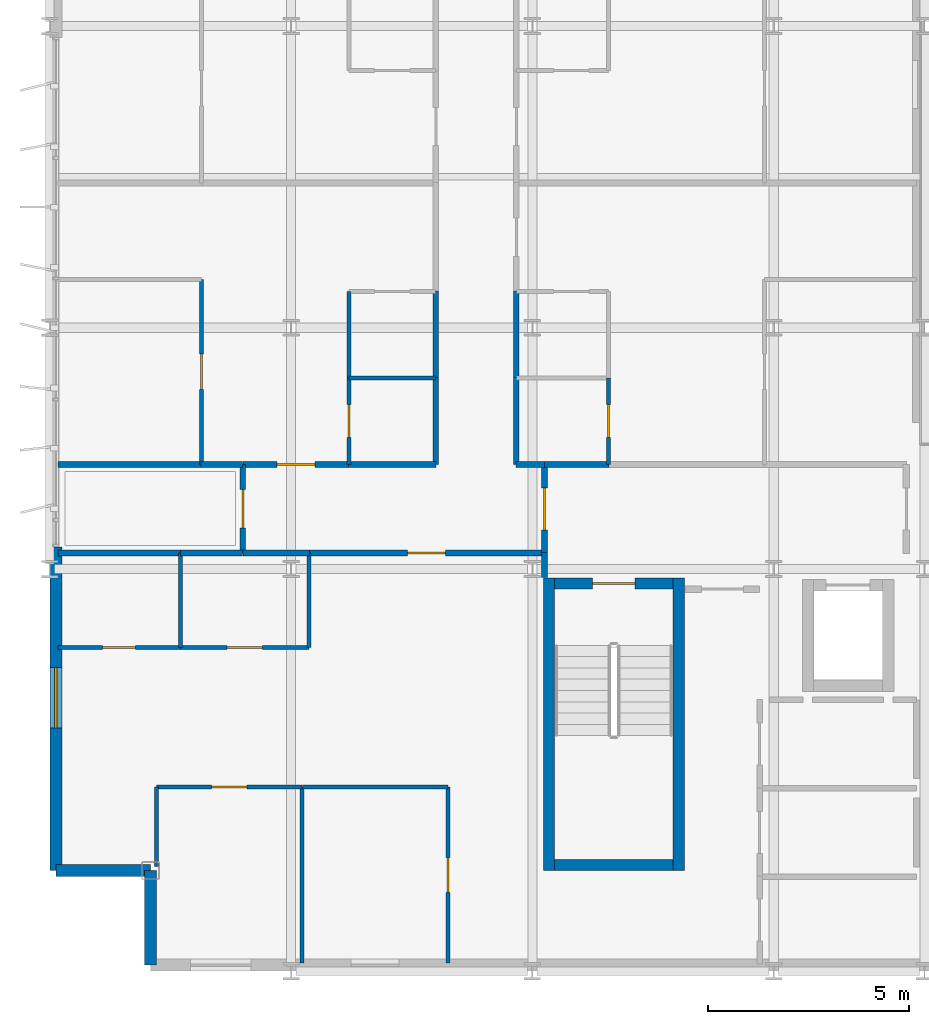
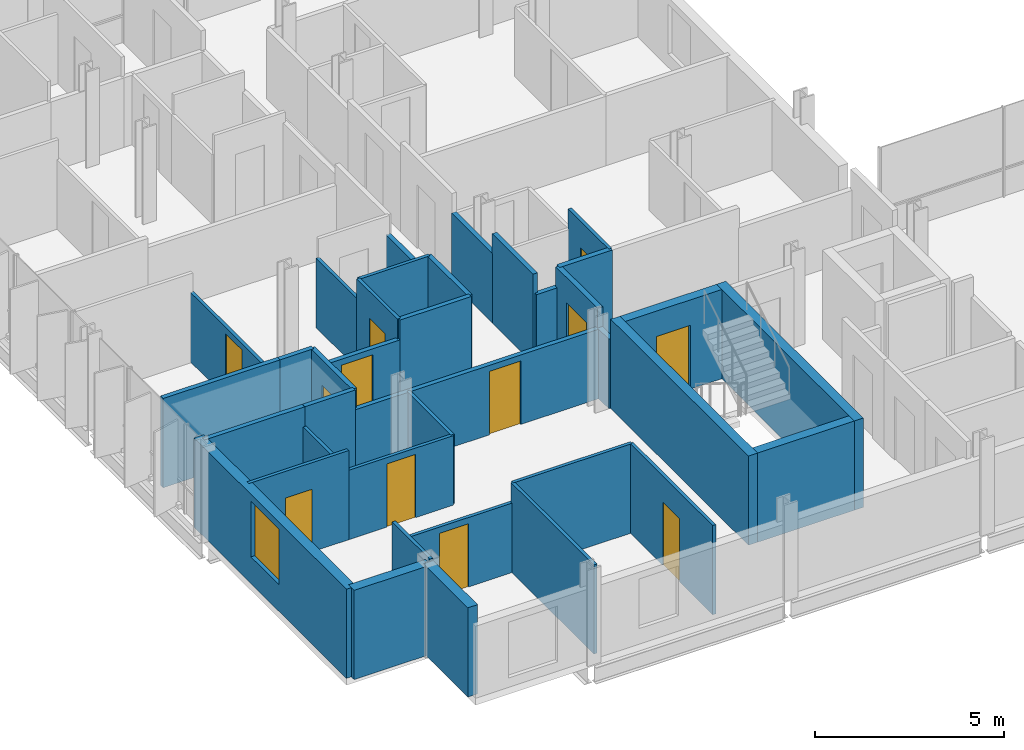
# One storey, part 27 of 39: 38 walls, 12 doors, 1 window, 13 openings.
"""IFC4 building model written with IfcOpenShell, lengths in metres."""

from ifc_helpers import new_model, si_unit, direction, frame, frame_2d, origin, place, context, subcontext, project, spatial, rectangle, extrude, material, layer, layer_set, type_object, element, fill, save


model = new_model("IFC4")

# Units and contexts
model_context = context("Model", 3, precision=1e-05, world=origin(), true_north=direction((0.0, 1.0)))
body_context = subcontext(model_context, "Body", "Model", "MODEL_VIEW")
ifc_project = project(units=[si_unit("LENGTHUNIT", "METRE"), si_unit("AREAUNIT", "SQUARE_METRE"), si_unit("VOLUMEUNIT", "CUBIC_METRE"), si_unit("PLANEANGLEUNIT", "RADIAN"), si_unit("MASSUNIT", "GRAM", prefix="KILO")], contexts=[model_context])

# Site, building, storey
site_placement = place(None, origin())
site = spatial("IfcSite", under=ifc_project, at=site_placement, CompositionType="ELEMENT")
building_placement = place(site_placement, origin())
building = spatial("IfcBuilding", under=site, at=building_placement, Name="Brevholm Reach", CompositionType="ELEMENT")
storey_placement = place(building_placement, frame((0.0, 0.0, 109.699951171875)))
storey = spatial("IfcBuildingStorey", under=building, at=storey_placement, Name="L32", CompositionType="ELEMENT", Elevation=109.699951171875)

# Walls
ifc_material_1 = material(Name="Concrete C50/60", Category="concrete")
ifc_layer_1 = layer(ifc_material_1, 0.280029296875)
ifc_layer_set_1 = layer_set([ifc_layer_1], Name="Concrete C50/60")
wall_type_1 = type_object("IfcWallType", Name="WAL-COR-280", PredefinedType="SHEAR", material=ifc_layer_set_1)
for number, where, z_axis, x_axis, name in (
    (1, (12.409912109375, 2.5, 0.0), (0.0, 0.0, 1.0), (0.0, 1.0, 0.0), "L32 Escape Stair ST-1 Core Wall W"),
    (2, (15.639892578125, 2.5, 0.0), (0.0, 0.0, 1.0), (0.0, 1.0, 0.0), "L32 Escape Stair ST-1 Core Wall E"),
):
    element("IfcWall", number, at=place(storey_placement, frame(where, z_axis=z_axis, x_axis=x_axis)), inside=storey, type_object=wall_type_1, Name=name, PredefinedType="SHEAR", context=body_context, shape_type="SweptSolid", body=[
        extrude(rectangle(XDim=7.280029296875, YDim=0.280029296875, at=frame_2d((3.64013671875, 0.0))), origin(), (0.0, 0.0, 1.0), 2.880126953125),
    ])
wall_1_placement = place(storey_placement, frame((12.550048828125, 2.639892578125, 0.0), z_axis=(0.0, 0.0, 1.0), x_axis=(1.0, 0.0, 0.0)))
element("IfcWall", 3, at=wall_1_placement, inside=storey, type_object=wall_type_1, Name="L32 Escape Stair ST-1 Core Wall S", PredefinedType="SHEAR", context=body_context, shape_type="SweptSolid", body=[
    extrude(rectangle(XDim=2.949951171875, YDim=0.280029296875, at=frame_2d((1.47509765625, 0.0))), origin(), (0.0, 0.0, 1.0), 2.880126953125),
])

# Wall, opening, door
wall_2_placement = place(storey_placement, frame((15.5, 9.639892578125, 0.0), z_axis=(0.0, 0.0, 1.0), x_axis=(-1.0, 0.0, 0.0)))
wall_2 = element("IfcWall", 4, at=wall_2_placement, inside=storey, type_object=wall_type_1, Name="L32 Escape Stair ST-1 Core Wall N", PredefinedType="SHEAR", context=body_context, shape_type="SweptSolid", body=[
    extrude(rectangle(XDim=2.949951171875, YDim=0.280029296875, at=frame_2d((1.47509765625, 0.0))), origin(), (0.0, 0.0, 1.0), 2.880126953125),
])
opening_1_placement = place(wall_2_placement, frame((0.949951171875, 0.0, 0.0)))
opening_1 = element("IfcOpeningElement", 5, at=opening_1_placement, cuts=wall_2, Name="Opening SD-ST-1", PredefinedType="OPENING", context=body_context, shape_type="SweptSolid", body=[
    extrude(rectangle(XDim=1.050048828125, YDim=2.06005859375, at=frame_2d((0.52490234375, 1.030029296875))), frame((0.0, 0.14990234375, 0.0), z_axis=(0.0, -1.0, 0.0), x_axis=(1.0, 0.0, 0.0)), (0.0, 0.0, 1.0), 0.300048828125),
])
ifc_material_2 = material(Name="Hardwood-Lipped Steel-Core Fire and Smoke Door", Category="steel")
door_type_1 = type_object("IfcDoorType", Name="DOR-INT-FD60S", OperationType="NOTDEFINED", PredefinedType="DOOR", material=ifc_material_2)
door_1_placement = place(opening_1_placement, origin())
door_1 = element("IfcDoor", 6, at=door_1_placement, inside=storey, type_object=door_type_1, Name="L32 Protected Stair ST-1 Lobby Door", OperationType="SINGLE_SWING_RIGHT", OverallHeight=2.06005859375, OverallWidth=1.050048828125, PredefinedType="DOOR", context=body_context, shape_type="SweptSolid", body=[
    extrude(rectangle(XDim=1.050048828125, YDim=2.06005859375, at=frame_2d((0.52490234375, 1.030029296875))), frame((0.0, 0.02490234375, 0.0), z_axis=(0.0, -1.0, 0.0), x_axis=(1.0, 0.0, 0.0)), (0.0, 0.0, 1.0), 0.050048828125),
])
fill(opening_1, door_1)

# Walls
ifc_material_3 = material(Name="Concrete C40/50", Category="concrete")
ifc_layer_2 = layer(ifc_material_3, 0.300048828125)
ifc_layer_set_2 = layer_set([ifc_layer_2], Name="Concrete C40/50")
wall_type_2 = type_object("IfcWallType", Name="WAL-EXT-300", PredefinedType="STANDARD", material=ifc_layer_set_2)
for number, where, z_axis, x_axis, name in (
    (7, (2.5, 2.5, 0.0), (0.0, 0.0, 1.0), (0.0, -1.0, 0.0), "L32 Facade Wall WAL-L32-CSW1"),
    (8, (0.14990234375, 2.5, 0.0), (0.0, 0.0, 1.0), (1.0, 0.0, 0.0), "L32 Facade Wall WAL-L32-CSW2"),
):
    element("IfcWall", number, at=place(storey_placement, frame(where, z_axis=z_axis, x_axis=x_axis)), inside=storey, type_object=wall_type_2, Name=name, PredefinedType="STANDARD", context=body_context, shape_type="SweptSolid", body=[
        extrude(rectangle(XDim=2.35009765625, YDim=0.300048828125, at=frame_2d((1.175048828125, 0.0))), origin(), (0.0, 0.0, 1.0), 2.880126953125),
    ])

# Wall, opening, window
wall_3_placement = place(storey_placement, frame((0.14990234375, 10.550048828125, 0.0), z_axis=(0.0, 0.0, 1.0), x_axis=(0.0, -1.0, 0.0)))
wall_3 = element("IfcWall", 9, at=wall_3_placement, inside=storey, type_object=wall_type_2, Name="L32 Facade Wall WAL-L32-W-S", PredefinedType="STANDARD", context=body_context, shape_type="SweptSolid", body=[
    extrude(rectangle(XDim=8.050048828125, YDim=0.300048828125, at=frame_2d((4.02490234375, 0.0))), origin(), (0.0, 0.0, 1.0), 2.880126953125),
])
opening_2_placement = place(wall_3_placement, frame((3.0, 0.0, 0.860107421875)))
opening_2 = element("IfcOpeningElement", 10, at=opening_2_placement, cuts=wall_3, Name="Opening WN-05", PredefinedType="OPENING", context=body_context, shape_type="SweptSolid", body=[
    extrude(rectangle(XDim=1.5, YDim=1.800048828125, at=frame_2d((0.75, 0.89990234375))), frame((0.0, 0.159912109375, 0.0), z_axis=(0.0, -1.0, 0.0), x_axis=(1.0, 0.0, 0.0)), (0.0, 0.0, 1.0), 0.320068359375),
])
ifc_material_4 = material(Name="Dark Anodised Aluminium and Solar-Control IGU Glass", Category="aluminium")
window_type = type_object("IfcWindowType", Name="WIN-RES-1500", PartitioningType="SINGLE_PANEL", PredefinedType="WINDOW", material=ifc_material_4)
window_placement = place(opening_2_placement, origin())
window = element("IfcWindow", 11, at=window_placement, inside=storey, type_object=window_type, Name="L32 Window WIN-L32-WS-1", OverallHeight=1.800048828125, OverallWidth=1.5, PartitioningType="SINGLE_PANEL", PredefinedType="WINDOW", context=body_context, shape_type="SweptSolid", body=[
    extrude(rectangle(XDim=1.5, YDim=1.800048828125, at=frame_2d((0.75, 0.89990234375))), frame((0.0, 0.030029296875, 0.0), z_axis=(0.0, -1.0, 0.0), x_axis=(1.0, 0.0, 0.0)), (0.0, 0.0, 1.0), 0.06005859375),
])
fill(opening_2, window)

# Wall
ifc_material_5 = material(Name="Moisture-Resistant Acoustic Gypsum Stud Partition 100 mm", Category="gypsum")
ifc_layer_3 = layer(ifc_material_5, 0.10009765625)
ifc_layer_set_3 = layer_set([ifc_layer_3], Name="Moisture-Resistant Acoustic Gypsum Stud Partition 100 mm")
wall_type_3 = type_object("IfcWallType", Name="WAL-PRT-100", PredefinedType="PARTITIONING", material=ifc_layer_set_3)
wall_4_placement = place(storey_placement, frame((3.25, 8.053955078125, 0.0), z_axis=(0.0, 0.0, 1.0), x_axis=(0.0, 1.0, 0.0)))
element("IfcWall", 12, at=wall_4_placement, inside=storey, type_object=wall_type_3, Name="L32 Internal Partition 067", PredefinedType="PARTITIONING", context=body_context, shape_type="SweptSolid", body=[
    extrude(rectangle(XDim=2.345947265625, YDim=0.10009765625, at=frame_2d((1.1728515625, 0.0))), origin(), (0.0, 0.0, 1.0), 2.242919921875),
])

# Wall, opening, door
wall_5_placement = place(storey_placement, frame((0.199951171875, 8.053955078125, 0.0), z_axis=(0.0, 0.0, 1.0), x_axis=(1.0, 0.0, 0.0)))
wall_5 = element("IfcWall", 13, at=wall_5_placement, inside=storey, type_object=wall_type_3, Name="L32 Internal Partition 068", PredefinedType="PARTITIONING", context=body_context, shape_type="SweptSolid", body=[
    extrude(rectangle(XDim=3.050048828125, YDim=0.10009765625, at=frame_2d((1.52490234375, 0.0))), origin(), (0.0, 0.0, 1.0), 2.880126953125),
])
opening_3_placement = place(wall_5_placement, frame((1.114990234375, 0.0, 0.0)))
opening_3 = element("IfcOpeningElement", 14, at=opening_3_placement, cuts=wall_5, Name="Opening ID-03", PredefinedType="OPENING", context=body_context, shape_type="SweptSolid", body=[
    extrude(rectangle(XDim=0.820068359375, YDim=2.02001953125, at=frame_2d((0.41015625, 1.010009765625))), frame((0.0, 0.06005859375, 0.0), z_axis=(0.0, -1.0, 0.0), x_axis=(1.0, 0.0, 0.0)), (0.0, 0.0, 1.0), 0.1201171875),
])
ifc_material_6 = material(Name="Moisture-Resistant Painted Timber Internal Bathroom Door", Category="wood")
door_type_2 = type_object("IfcDoorType", Name="DOR-BATH-820", OperationType="NOTDEFINED", PredefinedType="DOOR", material=ifc_material_6)
door_2_placement = place(opening_3_placement, origin())
door_2 = element("IfcDoor", 15, at=door_2_placement, inside=storey, type_object=door_type_2, Name="L32 Internal Door 026", OperationType="SINGLE_SWING_RIGHT", OverallHeight=2.02001953125, OverallWidth=0.820068359375, PredefinedType="DOOR", context=body_context, shape_type="SweptSolid", body=[
    extrude(rectangle(XDim=0.820068359375, YDim=2.02001953125, at=frame_2d((0.41015625, 1.010009765625))), frame((0.0, 0.02490234375, 0.0), z_axis=(0.0, -1.0, 0.0), x_axis=(1.0, 0.0, 0.0)), (0.0, 0.0, 1.0), 0.050048828125),
])
fill(opening_3, door_2)

wall_6_placement = place(storey_placement, frame((3.25390625, 8.053955078125, 0.0), z_axis=(0.0, 0.0, 1.0), x_axis=(1.0, 0.0, 0.0)))
wall_6 = element("IfcWall", 16, at=wall_6_placement, inside=storey, type_object=wall_type_3, Name="L32 Internal Partition 070", PredefinedType="PARTITIONING", context=body_context, shape_type="SweptSolid", body=[
    extrude(rectangle(XDim=3.196044921875, YDim=0.10009765625, at=frame_2d((1.59814453125, 0.0))), origin(), (0.0, 0.0, 1.0), 2.242919921875),
])
opening_4_placement = place(wall_6_placement, frame((1.157958984375, 0.0, 0.0)))
opening_4 = element("IfcOpeningElement", 17, at=opening_4_placement, cuts=wall_6, Name="Opening ID-01", PredefinedType="OPENING", context=body_context, shape_type="SweptSolid", body=[
    extrude(rectangle(XDim=0.8798828125, YDim=2.0400390625, at=frame_2d((0.43994140625, 1.02001953125))), frame((0.0, 0.06005859375, 0.0), z_axis=(0.0, -1.0, 0.0), x_axis=(1.0, 0.0, 0.0)), (0.0, 0.0, 1.0), 0.1201171875),
])
ifc_material_7 = material(Name="Lacquered Ash Solid-Core Acoustic Internal Door", Category="timber")
door_type_3 = type_object("IfcDoorType", Name="DOR-INT-880", OperationType="NOTDEFINED", PredefinedType="DOOR", material=ifc_material_7)
door_3_placement = place(opening_4_placement, origin())
door_3 = element("IfcDoor", 18, at=door_3_placement, inside=storey, type_object=door_type_3, Name="L32 Internal Door 027", OperationType="SINGLE_SWING_LEFT", OverallHeight=2.0400390625, OverallWidth=0.8798828125, PredefinedType="DOOR", context=body_context, shape_type="SweptSolid", body=[
    extrude(rectangle(XDim=0.8798828125, YDim=2.0400390625, at=frame_2d((0.43994140625, 1.02001953125))), frame((0.0, 0.02490234375, 0.0), z_axis=(0.0, -1.0, 0.0), x_axis=(1.0, 0.0, 0.0)), (0.0, 0.0, 1.0), 0.050048828125),
])
fill(opening_4, door_3)

# Walls
wall_7_placement = place(storey_placement, frame((6.449951171875, 8.053955078125, 0.0), z_axis=(0.0, 0.0, 1.0), x_axis=(0.0, 1.0, 0.0)))
element("IfcWall", 19, at=wall_7_placement, inside=storey, type_object=wall_type_3, Name="L32 Internal Partition 071", PredefinedType="PARTITIONING", context=body_context, shape_type="SweptSolid", body=[
    extrude(rectangle(XDim=2.342041015625, YDim=0.10009765625, at=frame_2d((1.1708984375, 0.0))), origin(), (0.0, 0.0, 1.0), 2.242919921875),
])
wall_8_placement = place(storey_placement, frame((6.27490234375, 0.199951171875, 0.0), z_axis=(0.0, 0.0, 1.0), x_axis=(0.0, 1.0, 0.0)))
element("IfcWall", 20, at=wall_8_placement, inside=storey, type_object=wall_type_3, Name="L32 Internal Partition 073", PredefinedType="PARTITIONING", context=body_context, shape_type="SweptSolid", body=[
    extrude(rectangle(XDim=4.385986328125, YDim=0.10009765625, at=frame_2d((2.19287109375, 0.0))), origin(), (0.0, 0.0, 1.0), 2.880126953125),
])
wall_9_placement = place(storey_placement, frame((2.64990234375, 2.599365234375, 0.0), z_axis=(0.0, 0.0, 1.0), x_axis=(0.0, 1.0, 0.0)))
element("IfcWall", 21, at=wall_9_placement, inside=storey, type_object=wall_type_3, Name="L32 Internal Partition 074", PredefinedType="PARTITIONING", context=body_context, shape_type="SweptSolid", body=[
    extrude(rectangle(XDim=1.986572265625, YDim=0.10009765625, at=frame_2d((0.9931640625, 0.0))), origin(), (0.0, 0.0, 1.0), 2.880126953125),
])

# Wall, opening, door
wall_10_placement = place(storey_placement, frame((2.64990234375, 4.5859375, 0.0), z_axis=(0.0, 0.0, 1.0), x_axis=(1.0, 0.0, 0.0)))
wall_10 = element("IfcWall", 22, at=wall_10_placement, inside=storey, type_object=wall_type_3, Name="L32 Internal Partition 075", PredefinedType="PARTITIONING", context=body_context, shape_type="SweptSolid", body=[
    extrude(rectangle(XDim=3.625, YDim=0.10009765625, at=frame_2d((1.8125, 0.0))), origin(), (0.0, 0.0, 1.0), 2.242919921875),
])
opening_5_placement = place(wall_10_placement, frame((1.37255859375, 0.0, 0.0)))
opening_5 = element("IfcOpeningElement", 23, at=opening_5_placement, cuts=wall_10, Name="Opening ID-01", PredefinedType="OPENING", context=body_context, shape_type="SweptSolid", body=[
    extrude(rectangle(XDim=0.8798828125, YDim=2.0400390625, at=frame_2d((0.43994140625, 1.02001953125))), frame((0.0, 0.06005859375, 0.0), z_axis=(0.0, -1.0, 0.0), x_axis=(1.0, 0.0, 0.0)), (0.0, 0.0, 1.0), 0.1201171875),
])
door_4_placement = place(opening_5_placement, origin())
door_4 = element("IfcDoor", 24, at=door_4_placement, inside=storey, type_object=door_type_3, Name="L32 Internal Door 028", OperationType="SINGLE_SWING_RIGHT", OverallHeight=2.0400390625, OverallWidth=0.8798828125, PredefinedType="DOOR", context=body_context, shape_type="SweptSolid", body=[
    extrude(rectangle(XDim=0.8798828125, YDim=2.0400390625, at=frame_2d((0.43994140625, 1.02001953125))), frame((0.0, 0.02490234375, 0.0), z_axis=(0.0, -1.0, 0.0), x_axis=(1.0, 0.0, 0.0)), (0.0, 0.0, 1.0), 0.050048828125),
])
fill(opening_5, door_4)

wall_11_placement = place(storey_placement, frame((9.89990234375, 0.199951171875, 0.0), z_axis=(0.0, 0.0, 1.0), x_axis=(0.0, 1.0, 0.0)))
wall_11 = element("IfcWall", 25, at=wall_11_placement, inside=storey, type_object=wall_type_3, Name="L32 Internal Partition 076", PredefinedType="PARTITIONING", context=body_context, shape_type="SweptSolid", body=[
    extrude(rectangle(XDim=4.385986328125, YDim=0.10009765625, at=frame_2d((2.19287109375, 0.0))), origin(), (0.0, 0.0, 1.0), 2.880126953125),
])
opening_6_placement = place(wall_11_placement, frame((1.7529296875, 0.0, 0.0)))
opening_6 = element("IfcOpeningElement", 26, at=opening_6_placement, cuts=wall_11, Name="Opening ID-01", PredefinedType="OPENING", context=body_context, shape_type="SweptSolid", body=[
    extrude(rectangle(XDim=0.8798828125, YDim=2.0400390625, at=frame_2d((0.43994140625, 1.02001953125))), frame((0.0, 0.06005859375, 0.0), z_axis=(0.0, -1.0, 0.0), x_axis=(1.0, 0.0, 0.0)), (0.0, 0.0, 1.0), 0.1201171875),
])
door_5_placement = place(opening_6_placement, origin())
door_5 = element("IfcDoor", 27, at=door_5_placement, inside=storey, type_object=door_type_3, Name="L32 Internal Door 029", OperationType="SINGLE_SWING_LEFT", OverallHeight=2.0400390625, OverallWidth=0.8798828125, PredefinedType="DOOR", context=body_context, shape_type="SweptSolid", body=[
    extrude(rectangle(XDim=0.8798828125, YDim=2.0400390625, at=frame_2d((0.43994140625, 1.02001953125))), frame((0.0, 0.02490234375, 0.0), z_axis=(0.0, -1.0, 0.0), x_axis=(1.0, 0.0, 0.0)), (0.0, 0.0, 1.0), 0.050048828125),
])
fill(opening_6, door_5)

# Walls
wall_12_placement = place(storey_placement, frame((6.279052734375, 4.5859375, 0.0), z_axis=(0.0, 0.0, 1.0), x_axis=(1.0, 0.0, 0.0)))
element("IfcWall", 28, at=wall_12_placement, inside=storey, type_object=wall_type_3, Name="L32 Internal Partition 077", PredefinedType="PARTITIONING", context=body_context, shape_type="SweptSolid", body=[
    extrude(rectangle(XDim=3.620849609375, YDim=0.10009765625, at=frame_2d((1.810546875, 0.0))), origin(), (0.0, 0.0, 1.0), 2.880126953125),
])
wall_13_placement = place(storey_placement, frame((7.43798828125, 14.75, 0.0), z_axis=(0.0, 0.0, 1.0), x_axis=(1.0, 0.0, 0.0)))
element("IfcWall", 29, at=wall_13_placement, inside=storey, type_object=wall_type_3, Name="L32 Internal Partition 092", PredefinedType="PARTITIONING", context=body_context, shape_type="SweptSolid", body=[
    extrude(rectangle(XDim=2.157958984375, YDim=0.10009765625, at=frame_2d((1.0791015625, 0.0))), origin(), (0.0, 0.0, 1.0), 2.880126953125),
])

# Wall, opening, door
wall_14_placement = place(storey_placement, frame((7.43798828125, 12.60400390625, 0.0), z_axis=(0.0, 0.0, 1.0), x_axis=(0.0, 1.0, 0.0)))
wall_14 = element("IfcWall", 30, at=wall_14_placement, inside=storey, type_object=wall_type_3, Name="L32 Internal Partition 093", PredefinedType="PARTITIONING", context=body_context, shape_type="SweptSolid", body=[
    extrude(rectangle(XDim=2.14599609375, YDim=0.10009765625, at=frame_2d((1.072998046875, 0.0))), origin(), (0.0, 0.0, 1.0), 2.880126953125),
])
opening_7_placement = place(wall_14_placement, frame((0.6630859375, 0.0, 0.0)))
opening_7 = element("IfcOpeningElement", 31, at=opening_7_placement, cuts=wall_14, Name="Opening ID-03", PredefinedType="OPENING", context=body_context, shape_type="SweptSolid", body=[
    extrude(rectangle(XDim=0.820068359375, YDim=2.02001953125, at=frame_2d((0.41015625, 1.010009765625))), frame((0.0, 0.06005859375, 0.0), z_axis=(0.0, -1.0, 0.0), x_axis=(1.0, 0.0, 0.0)), (0.0, 0.0, 1.0), 0.1201171875),
])
door_6_placement = place(opening_7_placement, origin())
door_6 = element("IfcDoor", 32, at=door_6_placement, inside=storey, type_object=door_type_2, Name="L32 Internal Door 034", OperationType="SINGLE_SWING_RIGHT", OverallHeight=2.02001953125, OverallWidth=0.820068359375, PredefinedType="DOOR", context=body_context, shape_type="SweptSolid", body=[
    extrude(rectangle(XDim=0.820068359375, YDim=2.02001953125, at=frame_2d((0.41015625, 1.010009765625))), frame((0.0, 0.02490234375, 0.0), z_axis=(0.0, -1.0, 0.0), x_axis=(1.0, 0.0, 0.0)), (0.0, 0.0, 1.0), 0.050048828125),
])
fill(opening_7, door_6)

# Wall
wall_15_placement = place(storey_placement, frame((7.43798828125, 14.75390625, 0.0), z_axis=(0.0, 0.0, 1.0), x_axis=(0.0, 1.0, 0.0)))
element("IfcWall", 33, at=wall_15_placement, inside=storey, type_object=wall_type_3, Name="L32 Internal Partition 095", PredefinedType="PARTITIONING", context=body_context, shape_type="SweptSolid", body=[
    extrude(rectangle(XDim=2.14599609375, YDim=0.10009765625, at=frame_2d((1.072998046875, 0.0))), origin(), (0.0, 0.0, 1.0), 2.242919921875),
])

# Wall, opening, door
wall_16_placement = place(storey_placement, frame((3.77197265625, 12.60400390625, 0.0), z_axis=(0.0, 0.0, 1.0), x_axis=(0.0, 1.0, 0.0)))
wall_16 = element("IfcWall", 34, at=wall_16_placement, inside=storey, type_object=wall_type_3, Name="L32 Internal Partition 096", PredefinedType="PARTITIONING", context=body_context, shape_type="SweptSolid", body=[
    extrude(rectangle(XDim=4.595947265625, YDim=0.10009765625, at=frame_2d((2.2978515625, 0.0))), origin(), (0.0, 0.0, 1.0), 2.242919921875),
])
opening_8_placement = place(wall_16_placement, frame((1.85791015625, 0.0, 0.0)))
opening_8 = element("IfcOpeningElement", 35, at=opening_8_placement, cuts=wall_16, Name="Opening ID-01", PredefinedType="OPENING", context=body_context, shape_type="SweptSolid", body=[
    extrude(rectangle(XDim=0.8798828125, YDim=2.0400390625, at=frame_2d((0.43994140625, 1.02001953125))), frame((0.0, 0.06005859375, 0.0), z_axis=(0.0, -1.0, 0.0), x_axis=(1.0, 0.0, 0.0)), (0.0, 0.0, 1.0), 0.1201171875),
])
door_7_placement = place(opening_8_placement, origin())
door_7 = element("IfcDoor", 36, at=door_7_placement, inside=storey, type_object=door_type_3, Name="L32 Internal Door 036", OperationType="SINGLE_SWING_RIGHT", OverallHeight=2.0400390625, OverallWidth=0.8798828125, PredefinedType="DOOR", context=body_context, shape_type="SweptSolid", body=[
    extrude(rectangle(XDim=0.8798828125, YDim=2.0400390625, at=frame_2d((0.43994140625, 1.02001953125))), frame((0.0, 0.02490234375, 0.0), z_axis=(0.0, -1.0, 0.0), x_axis=(1.0, 0.0, 0.0)), (0.0, 0.0, 1.0), 0.050048828125),
])
fill(opening_8, door_7)

wall_17_placement = place(storey_placement, frame((13.888916015625, 12.60400390625, 0.0), z_axis=(0.0, 0.0, 1.0), x_axis=(0.0, 1.0, 0.0)))
wall_17 = element("IfcWall", 37, at=wall_17_placement, inside=storey, type_object=wall_type_3, Name="L32 Internal Partition 112", PredefinedType="PARTITIONING", context=body_context, shape_type="SweptSolid", body=[
    extrude(rectangle(XDim=2.14599609375, YDim=0.10009765625, at=frame_2d((1.072998046875, 0.0))), origin(), (0.0, 0.0, 1.0), 2.880126953125),
])
opening_9_placement = place(wall_17_placement, frame((0.6630859375, 0.0, 0.0)))
opening_9 = element("IfcOpeningElement", 38, at=opening_9_placement, cuts=wall_17, Name="Opening ID-03", PredefinedType="OPENING", context=body_context, shape_type="SweptSolid", body=[
    extrude(rectangle(XDim=0.820068359375, YDim=2.02001953125, at=frame_2d((0.41015625, 1.010009765625))), frame((0.0, 0.06005859375, 0.0), z_axis=(0.0, -1.0, 0.0), x_axis=(1.0, 0.0, 0.0)), (0.0, 0.0, 1.0), 0.1201171875),
])
door_8_placement = place(opening_9_placement, origin())
door_8 = element("IfcDoor", 39, at=door_8_placement, inside=storey, type_object=door_type_2, Name="L32 Internal Door 040", OperationType="SINGLE_SWING_RIGHT", OverallHeight=2.02001953125, OverallWidth=0.820068359375, PredefinedType="DOOR", context=body_context, shape_type="SweptSolid", body=[
    extrude(rectangle(XDim=0.820068359375, YDim=2.02001953125, at=frame_2d((0.41015625, 1.010009765625))), frame((0.0, 0.02490234375, 0.0), z_axis=(0.0, -1.0, 0.0), x_axis=(1.0, 0.0, 0.0)), (0.0, 0.0, 1.0), 0.050048828125),
])
fill(opening_9, door_8)

# Wall
ifc_material_8 = material(Name="Twin-Stud Acoustic Fire-Rated Gypsum Partition 140 mm", Category="gypsum")
ifc_layer_4 = layer(ifc_material_8, 0.139892578125)
ifc_layer_set_4 = layer_set([ifc_layer_4], Name="Twin-Stud Acoustic Fire-Rated Gypsum Partition 140 mm")
wall_type_4 = type_object("IfcWallType", Name="WAL-PRT-140", PredefinedType="PARTITIONING", material=ifc_layer_set_4)
wall_18_placement = place(storey_placement, frame((4.800048828125, 10.39990234375, 0.0), z_axis=(0.0, 0.0, 1.0), x_axis=(1.0, 0.0, 0.0)))
element("IfcWall", 40, at=wall_18_placement, inside=storey, type_object=wall_type_4, Name="L32 Internal Partition 029", PredefinedType="PARTITIONING", context=body_context, shape_type="SweptSolid", body=[
    extrude(rectangle(XDim=1.6611328125, YDim=0.139892578125, at=frame_2d((0.83056640625, 0.0))), origin(), (0.0, 0.0, 1.0), 2.242919921875),
])

# Wall, opening, door
wall_19_placement = place(storey_placement, frame((6.442626953125, 10.39990234375, 0.0), z_axis=(0.0, 0.0, 1.0), x_axis=(1.0, 0.0, 0.0)))
wall_19 = element("IfcWall", 41, at=wall_19_placement, inside=storey, type_object=wall_type_4, Name="L32 Internal Partition 030", PredefinedType="PARTITIONING", context=body_context, shape_type="SweptSolid", body=[
    extrude(rectangle(XDim=5.853271484375, YDim=0.139892578125, at=frame_2d((2.9267578125, 0.0))), origin(), (0.0, 0.0, 1.0), 2.242919921875),
])
opening_10_placement = place(wall_19_placement, frame((2.45166015625, 0.0, 0.0)))
opening_10 = element("IfcOpeningElement", 42, at=opening_10_placement, cuts=wall_19, Name="Opening ID-30", PredefinedType="OPENING", context=body_context, shape_type="SweptSolid", body=[
    extrude(rectangle(XDim=0.949951171875, YDim=2.050048828125, at=frame_2d((0.47509765625, 1.02490234375))), frame((0.0, 0.079833984375, 0.0), z_axis=(0.0, -1.0, 0.0), x_axis=(1.0, 0.0, 0.0)), (0.0, 0.0, 1.0), 0.159912109375),
])
ifc_material_9 = material(Name="European Oak Veneered Solid-Core Fire Entrance Door", Category="timber")
door_type_4 = type_object("IfcDoorType", Name="DOR-FLT-FD30S", OperationType="NOTDEFINED", PredefinedType="DOOR", material=ifc_material_9)
door_9_placement = place(opening_10_placement, origin())
door_9 = element("IfcDoor", 43, at=door_9_placement, inside=storey, type_object=door_type_4, Name="L32 Internal Door 015", OperationType="SINGLE_SWING_LEFT", OverallHeight=2.050048828125, OverallWidth=0.949951171875, PredefinedType="DOOR", context=body_context, shape_type="SweptSolid", body=[
    extrude(rectangle(XDim=0.949951171875, YDim=2.050048828125, at=frame_2d((0.47509765625, 1.02490234375))), frame((0.0, 0.02490234375, 0.0), z_axis=(0.0, -1.0, 0.0), x_axis=(1.0, 0.0, 0.0)), (0.0, 0.0, 1.0), 0.050048828125),
])
fill(opening_10, door_9)

wall_20_placement = place(storey_placement, frame((4.800048828125, 10.39990234375, 0.0), z_axis=(0.0, 0.0, 1.0), x_axis=(0.0, 1.0, 0.0)))
wall_20 = element("IfcWall", 44, at=wall_20_placement, inside=storey, type_object=wall_type_4, Name="L32 Internal Partition 031", PredefinedType="PARTITIONING", context=body_context, shape_type="SweptSolid", body=[
    extrude(rectangle(XDim=2.2001953125, YDim=0.139892578125, at=frame_2d((1.10009765625, 0.0))), origin(), (0.0, 0.0, 1.0), 2.880126953125),
])
opening_11_placement = place(wall_20_placement, frame((0.625, 0.0, 0.0)))
opening_11 = element("IfcOpeningElement", 45, at=opening_11_placement, cuts=wall_20, Name="Opening ID-30", PredefinedType="OPENING", context=body_context, shape_type="SweptSolid", body=[
    extrude(rectangle(XDim=0.949951171875, YDim=2.050048828125, at=frame_2d((0.47509765625, 1.02490234375))), frame((0.0, 0.079833984375, 0.0), z_axis=(0.0, -1.0, 0.0), x_axis=(1.0, 0.0, 0.0)), (0.0, 0.0, 1.0), 0.159912109375),
])
door_10_placement = place(opening_11_placement, origin())
door_10 = element("IfcDoor", 46, at=door_10_placement, inside=storey, type_object=door_type_4, Name="L32 Internal Door 016", OperationType="SINGLE_SWING_RIGHT", OverallHeight=2.050048828125, OverallWidth=0.949951171875, PredefinedType="DOOR", context=body_context, shape_type="SweptSolid", body=[
    extrude(rectangle(XDim=0.949951171875, YDim=2.050048828125, at=frame_2d((0.47509765625, 1.02490234375))), frame((0.0, 0.02490234375, 0.0), z_axis=(0.0, -1.0, 0.0), x_axis=(1.0, 0.0, 0.0)), (0.0, 0.0, 1.0), 0.050048828125),
])
fill(opening_11, door_10)

# Wall
wall_21_placement = place(storey_placement, frame((7.4267578125, 12.60009765625, 0.0), z_axis=(0.0, 0.0, 1.0), x_axis=(1.0, 0.0, 0.0)))
element("IfcWall", 47, at=wall_21_placement, inside=storey, type_object=wall_type_4, Name="L32 Internal Partition 032", PredefinedType="PARTITIONING", context=body_context, shape_type="SweptSolid", body=[
    extrude(rectangle(XDim=2.1806640625, YDim=0.139892578125, at=frame_2d((1.09033203125, 0.0))), origin(), (0.0, 0.0, 1.0), 2.880126953125),
])

# Wall, opening, door
wall_22_placement = place(storey_placement, frame((4.800048828125, 12.60009765625, 0.0), z_axis=(0.0, 0.0, 1.0), x_axis=(1.0, 0.0, 0.0)))
wall_22 = element("IfcWall", 48, at=wall_22_placement, inside=storey, type_object=wall_type_4, Name="L32 Internal Partition 033", PredefinedType="PARTITIONING", context=body_context, shape_type="SweptSolid", body=[
    extrude(rectangle(XDim=2.645263671875, YDim=0.139892578125, at=frame_2d((1.32275390625, 0.0))), origin(), (0.0, 0.0, 1.0), 2.242919921875),
])
opening_12_placement = place(wall_22_placement, frame((0.84765625, 0.0, 0.0)))
opening_12 = element("IfcOpeningElement", 49, at=opening_12_placement, cuts=wall_22, Name="Opening ID-30", PredefinedType="OPENING", context=body_context, shape_type="SweptSolid", body=[
    extrude(rectangle(XDim=0.949951171875, YDim=2.050048828125, at=frame_2d((0.47509765625, 1.02490234375))), frame((0.0, 0.079833984375, 0.0), z_axis=(0.0, -1.0, 0.0), x_axis=(1.0, 0.0, 0.0)), (0.0, 0.0, 1.0), 0.159912109375),
])
door_11_placement = place(opening_12_placement, origin())
door_11 = element("IfcDoor", 50, at=door_11_placement, inside=storey, type_object=door_type_4, Name="L32 Internal Door 017", OperationType="SINGLE_SWING_LEFT", OverallHeight=2.050048828125, OverallWidth=0.949951171875, PredefinedType="DOOR", context=body_context, shape_type="SweptSolid", body=[
    extrude(rectangle(XDim=0.949951171875, YDim=2.050048828125, at=frame_2d((0.47509765625, 1.02490234375))), frame((0.0, 0.02490234375, 0.0), z_axis=(0.0, -1.0, 0.0), x_axis=(1.0, 0.0, 0.0)), (0.0, 0.0, 1.0), 0.050048828125),
])
fill(opening_12, door_11)

# Walls
wall_23_placement = place(storey_placement, frame((11.5927734375, 12.60009765625, 0.0), z_axis=(0.0, 0.0, 1.0), x_axis=(1.0, 0.0, 0.0)))
element("IfcWall", 51, at=wall_23_placement, inside=storey, type_object=wall_type_4, Name="L32 Internal Partition 034", PredefinedType="PARTITIONING", context=body_context, shape_type="SweptSolid", body=[
    extrude(rectangle(XDim=0.703125, YDim=0.139892578125, at=frame_2d((0.3515625, 0.0))), origin(), (0.0, 0.0, 1.0), 2.242919921875),
])
wall_24_placement = place(storey_placement, frame((9.60009765625, 12.60400390625, 0.0), z_axis=(0.0, 0.0, 1.0), x_axis=(0.0, 1.0, 0.0)))
element("IfcWall", 52, at=wall_24_placement, inside=storey, type_object=wall_type_4, Name="L32 Internal Partition 038", PredefinedType="PARTITIONING", context=body_context, shape_type="SweptSolid", body=[
    extrude(rectangle(XDim=2.1572265625, YDim=0.139892578125, at=frame_2d((1.07861328125, 0.0))), origin(), (0.0, 0.0, 1.0), 2.880126953125),
])
wall_25_placement = place(storey_placement, frame((9.60009765625, 14.74267578125, 0.0), z_axis=(0.0, 0.0, 1.0), x_axis=(0.0, 1.0, 0.0)))
element("IfcWall", 53, at=wall_25_placement, inside=storey, type_object=wall_type_4, Name="L32 Internal Partition 039", PredefinedType="PARTITIONING", context=body_context, shape_type="SweptSolid", body=[
    extrude(rectangle(XDim=2.168701171875, YDim=0.139892578125, at=frame_2d((1.08447265625, 0.0))), origin(), (0.0, 0.0, 1.0), 2.242919921875),
])
wall_26_placement = place(storey_placement, frame((11.60009765625, 12.60400390625, 0.0), z_axis=(0.0, 0.0, 1.0), x_axis=(0.0, 1.0, 0.0)))
element("IfcWall", 54, at=wall_26_placement, inside=storey, type_object=wall_type_4, Name="L32 Internal Partition 044", PredefinedType="PARTITIONING", context=body_context, shape_type="SweptSolid", body=[
    extrude(rectangle(XDim=2.1572265625, YDim=0.139892578125, at=frame_2d((1.07861328125, 0.0))), origin(), (0.0, 0.0, 1.0), 2.880126953125),
])
wall_27_placement = place(storey_placement, frame((11.60009765625, 14.74267578125, 0.0), z_axis=(0.0, 0.0, 1.0), x_axis=(0.0, 1.0, 0.0)))
element("IfcWall", 55, at=wall_27_placement, inside=storey, type_object=wall_type_4, Name="L32 Internal Partition 045", PredefinedType="PARTITIONING", context=body_context, shape_type="SweptSolid", body=[
    extrude(rectangle(XDim=2.168701171875, YDim=0.139892578125, at=frame_2d((1.08447265625, 0.0))), origin(), (0.0, 0.0, 1.0), 2.242919921875),
])
wall_28_placement = place(storey_placement, frame((0.199951171875, 10.39990234375, 0.0), z_axis=(0.0, 0.0, 1.0), x_axis=(1.0, 0.0, 0.0)))
element("IfcWall", 56, at=wall_28_placement, inside=storey, type_object=wall_type_4, Name="L32 Internal Partition 069", PredefinedType="PARTITIONING", context=body_context, shape_type="SweptSolid", body=[
    extrude(rectangle(XDim=3.050048828125, YDim=0.139892578125, at=frame_2d((1.52490234375, 0.0))), origin(), (0.0, 0.0, 1.0), 2.880126953125),
])
wall_29_placement = place(storey_placement, frame((3.25390625, 10.39990234375, 0.0), z_axis=(0.0, 0.0, 1.0), x_axis=(1.0, 0.0, 0.0)))
element("IfcWall", 57, at=wall_29_placement, inside=storey, type_object=wall_type_4, Name="L32 Internal Partition 072", PredefinedType="PARTITIONING", context=body_context, shape_type="SweptSolid", body=[
    extrude(rectangle(XDim=1.5419921875, YDim=0.139892578125, at=frame_2d((0.77099609375, 0.0))), origin(), (0.0, 0.0, 1.0), 2.880126953125),
])
wall_30_placement = place(storey_placement, frame((0.199951171875, 12.60009765625, 0.0), z_axis=(0.0, 0.0, 1.0), x_axis=(1.0, 0.0, 0.0)))
element("IfcWall", 58, at=wall_30_placement, inside=storey, type_object=wall_type_4, Name="L32 Internal Partition 078", PredefinedType="PARTITIONING", context=body_context, shape_type="SweptSolid", body=[
    extrude(rectangle(XDim=3.583251953125, YDim=0.139892578125, at=frame_2d((1.79150390625, 0.0))), origin(), (0.0, 0.0, 1.0), 2.880126953125),
])
wall_31_placement = place(storey_placement, frame((3.7646484375, 12.60009765625, 0.0), z_axis=(0.0, 0.0, 1.0), x_axis=(1.0, 0.0, 0.0)))
element("IfcWall", 59, at=wall_31_placement, inside=storey, type_object=wall_type_4, Name="L32 Internal Partition 079", PredefinedType="PARTITIONING", context=body_context, shape_type="SweptSolid", body=[
    extrude(rectangle(XDim=1.03125, YDim=0.139892578125, at=frame_2d((0.515625, 0.0))), origin(), (0.0, 0.0, 1.0), 2.880126953125),
])

# Wall, opening, door
ifc_material_10 = material(Name="Twin-Frame Fire-Rated Gypsum Board and Mineral Wool 160 mm", Category="gypsum")
ifc_layer_5 = layer(ifc_material_10, 0.159912109375)
ifc_layer_set_5 = layer_set([ifc_layer_5], Name="Twin-Frame Fire-Rated Gypsum Board and Mineral Wool 160 mm")
wall_type_5 = type_object("IfcWallType", Name="WAL-PRT-160", PredefinedType="PARTITIONING", material=ifc_layer_set_5)
wall_32_placement = place(storey_placement, frame((12.300048828125, 10.388671875, 0.0), z_axis=(0.0, 0.0, 1.0), x_axis=(0.0, 1.0, 0.0)))
wall_32 = element("IfcWall", 60, at=wall_32_placement, inside=storey, type_object=wall_type_5, Name="L32 Internal Partition 018", PredefinedType="PARTITIONING", context=body_context, shape_type="SweptSolid", body=[
    extrude(rectangle(XDim=2.21142578125, YDim=0.159912109375, at=frame_2d((1.105712890625, 0.0))), origin(), (0.0, 0.0, 1.0), 2.880126953125),
])
opening_13_placement = place(wall_32_placement, frame((0.58056640625, 0.0, 0.0)))
opening_13 = element("IfcOpeningElement", 61, at=opening_13_placement, cuts=wall_32, Name="Opening FD-01", PredefinedType="OPENING", context=body_context, shape_type="SweptSolid", body=[
    extrude(rectangle(XDim=1.050048828125, YDim=2.06005859375, at=frame_2d((0.52490234375, 1.030029296875))), frame((0.0, 0.08984375, 0.0), z_axis=(0.0, -1.0, 0.0), x_axis=(1.0, 0.0, 0.0)), (0.0, 0.0, 1.0), 0.179931640625),
])
door_12_placement = place(opening_13_placement, origin())
door_12 = element("IfcDoor", 62, at=door_12_placement, inside=storey, type_object=door_type_1, Name="L32 Internal Door 011", OperationType="SINGLE_SWING_LEFT", OverallHeight=2.06005859375, OverallWidth=1.050048828125, PredefinedType="DOOR", context=body_context, shape_type="SweptSolid", body=[
    extrude(rectangle(XDim=1.050048828125, YDim=2.06005859375, at=frame_2d((0.52490234375, 1.030029296875))), frame((0.0, 0.02490234375, 0.0), z_axis=(0.0, -1.0, 0.0), x_axis=(1.0, 0.0, 0.0)), (0.0, 0.0, 1.0), 0.050048828125),
])
fill(opening_13, door_12)

# Walls
wall_33_placement = place(storey_placement, frame((12.300048828125, 9.7900390625, 0.0), z_axis=(0.0, 0.0, 1.0), x_axis=(0.0, 1.0, 0.0)))
element("IfcWall", 63, at=wall_33_placement, inside=storey, type_object=wall_type_5, Name="L32 Internal Partition 020", PredefinedType="PARTITIONING", context=body_context, shape_type="SweptSolid", body=[
    extrude(rectangle(XDim=0.6171875, YDim=0.159912109375, at=frame_2d((0.30859375, 0.0))), origin(), (0.0, 0.0, 1.0), 2.242919921875),
])
wall_34_placement = place(storey_placement, frame((12.300048828125, 12.60009765625, 0.0), z_axis=(0.0, 0.0, 1.0), x_axis=(1.0, 0.0, 0.0)))
element("IfcWall", 64, at=wall_34_placement, inside=storey, type_object=wall_type_5, Name="L32 Internal Partition 021", PredefinedType="PARTITIONING", context=body_context, shape_type="SweptSolid", body=[
    extrude(rectangle(XDim=1.600341796875, YDim=0.159912109375, at=frame_2d((0.80029296875, 0.0))), origin(), (0.0, 0.0, 1.0), 2.880126953125),
])

save(model, "model.ifc")
